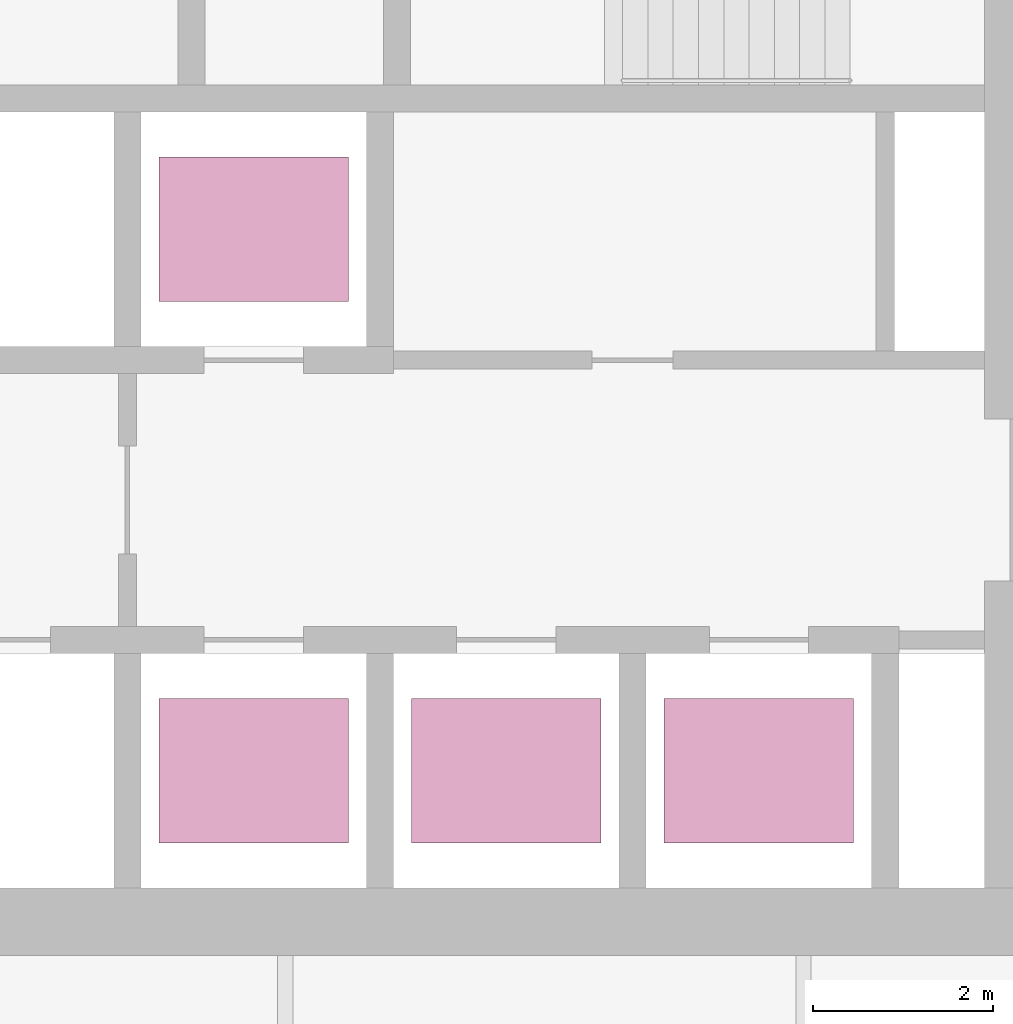
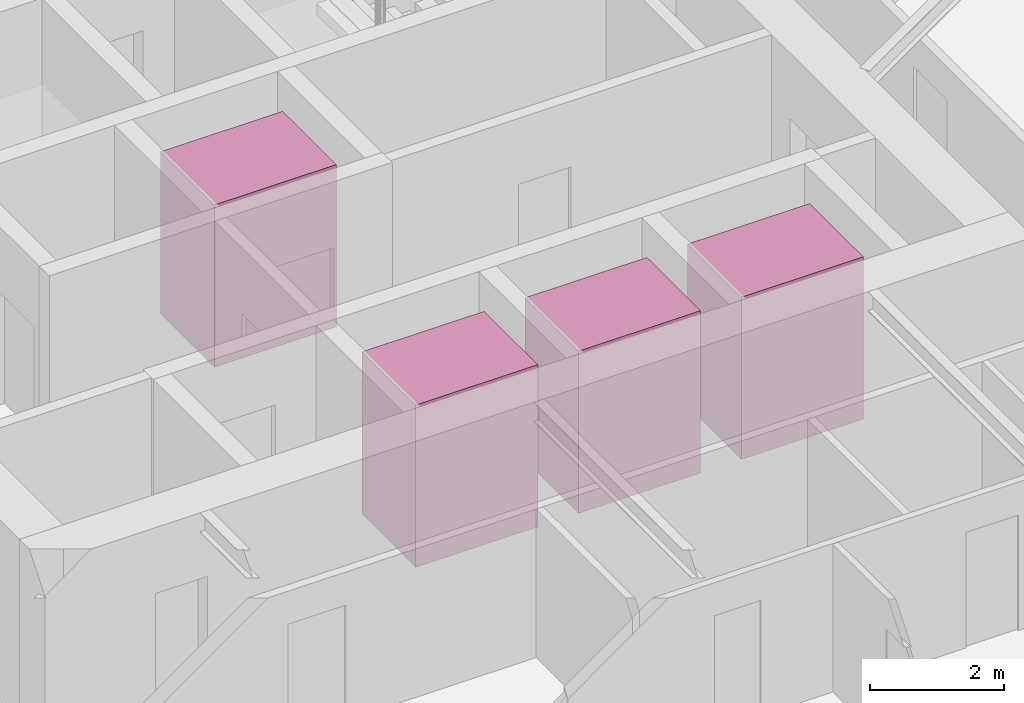
# One storey, part 15 of 16: 4 transport elements.
"""IFC4 building model written with IfcOpenShell, lengths in metres."""

from ifc_helpers import new_model, si_unit, direction, frame, origin, origin_2d, place, context, subcontext, project, spatial, rectangle, extrude, material, type_object, element, save


model = new_model("IFC4")

# Units and contexts
model_context = context("Model", 3, precision=1e-05, world=origin(), true_north=direction((0.0, 1.0)))
body_context = subcontext(model_context, "Body", "Model", "MODEL_VIEW")
ifc_project = project(units=[si_unit("LENGTHUNIT", "METRE"), si_unit("AREAUNIT", "SQUARE_METRE"), si_unit("VOLUMEUNIT", "CUBIC_METRE"), si_unit("PLANEANGLEUNIT", "RADIAN"), si_unit("MASSUNIT", "GRAM", prefix="KILO")], contexts=[model_context])

# Site, building, storey
site_placement = place(None, origin())
site = spatial("IfcSite", under=ifc_project, at=site_placement, CompositionType="ELEMENT")
building_placement = place(site_placement, origin())
building = spatial("IfcBuilding", under=site, at=building_placement, Name="Firuza Gate Tower and Library", CompositionType="ELEMENT")
storey_placement = place(building_placement, frame((0.0, 0.0, 319.60009765625)))
storey = spatial("IfcBuildingStorey", under=building, at=storey_placement, Name="L78", CompositionType="ELEMENT", Elevation=319.60009765625)

# Transport elements
ifc_material = material(Name="Stainless steel and glass", Category="steel")
transport_element_type = type_object("IfcTransportElementType", Name="High-rise lift car 2100x1600", PredefinedType="ELEVATOR", material=ifc_material)
for number, where, z_axis, x_axis, name in (
    (1, (74.64990234375, 70.300048828125, 0.0), (0.0, 0.0, 1.0), (1.0, 0.0, 0.0), "High-rise lift HR1"),
    (2, (77.449951171875, 70.300048828125, 0.0), (0.0, 0.0, 1.0), (1.0, 0.0, 0.0), "High-rise lift HR2"),
    (3, (80.25, 70.300048828125, 0.0), (0.0, 0.0, 1.0), (1.0, 0.0, 0.0), "High-rise lift HR3"),
    (4, (74.64990234375, 76.300048828125, 0.0), (0.0, 0.0, 1.0), (1.0, 0.0, 0.0), "High-rise lift HR4"),
):
    element("IfcTransportElement", number, at=place(storey_placement, frame(where, z_axis=z_axis, x_axis=x_axis)), inside=storey, type_object=transport_element_type, Name=name, PredefinedType="ELEVATOR", context=body_context, shape_type="SweptSolid", body=[
        extrude(rectangle(XDim=2.10009765625, YDim=1.60009765625, at=origin_2d()), origin(), (0.0, 0.0, 1.0), 2.949951171875),
    ])

save(model, "model.ifc")
